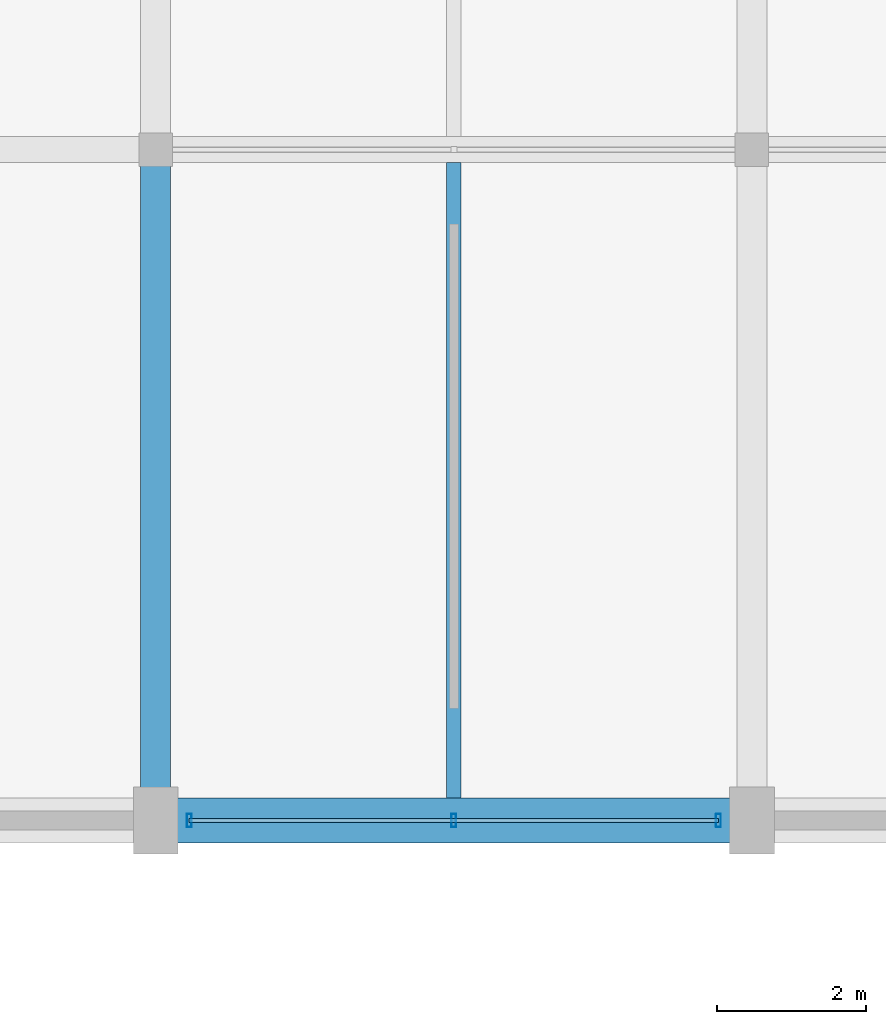
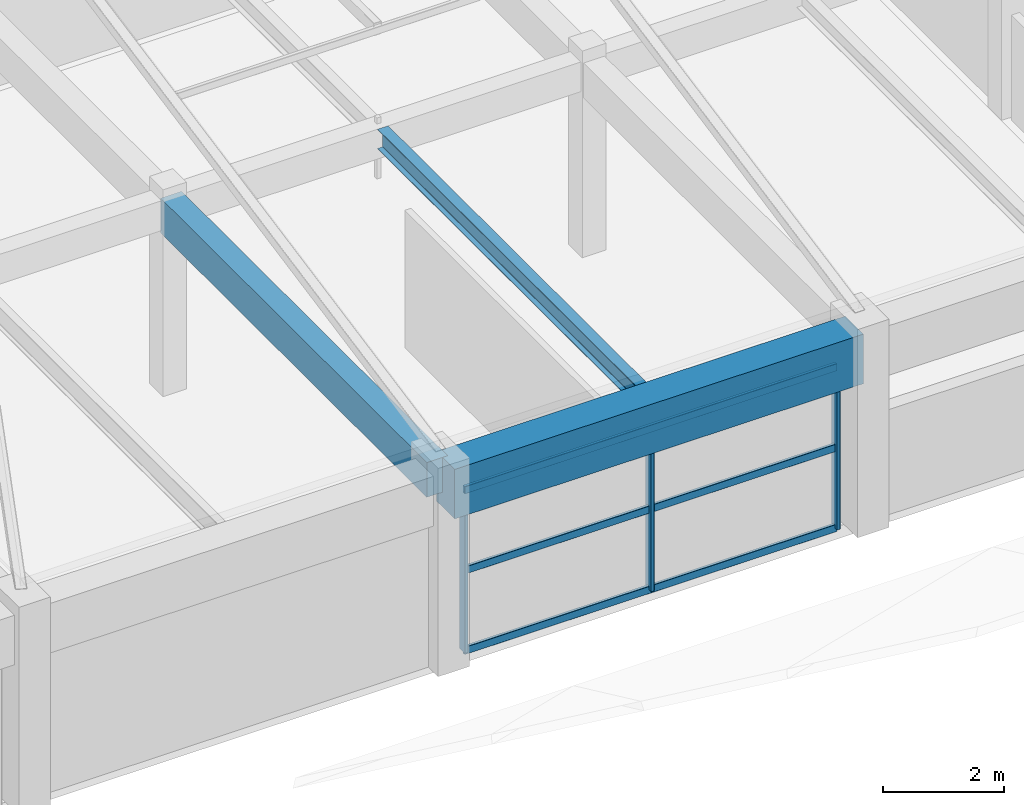
# One storey, part 64 of 126: 6 members, 3 beams, 1 element without a shape of its own.
"""IFC4 building model written with IfcOpenShell, lengths in metres."""

from ifc_helpers import new_model, si_unit, direction, frame, origin, origin_2d, place, context, subcontext, project, spatial, rectangle, hollow_rectangle, i_section, extrude, material, material_profile, profile_set, type_object, element, aggregate, save


model = new_model("IFC4")

# Units and contexts
model_context = context("Model", 3, precision=1e-05, world=origin(), true_north=direction((0.0, 1.0)))
body_context = subcontext(model_context, "Body", "Model", "MODEL_VIEW")
ifc_project = project(units=[si_unit("LENGTHUNIT", "METRE"), si_unit("AREAUNIT", "SQUARE_METRE"), si_unit("VOLUMEUNIT", "CUBIC_METRE"), si_unit("PLANEANGLEUNIT", "RADIAN"), si_unit("MASSUNIT", "GRAM", prefix="KILO")], contexts=[model_context])

# Site, building, storey
site_placement = place(None, origin())
site = spatial("IfcSite", under=ifc_project, at=site_placement, CompositionType="ELEMENT")
building_placement = place(site_placement, origin())
building = spatial("IfcBuilding", under=site, at=building_placement, Name="Varnabhumi Central Station", CompositionType="ELEMENT")
storey_placement = place(building_placement, frame((0.0, 0.0, 16.199951171875)))
storey = spatial("IfcBuildingStorey", under=building, at=storey_placement, Name="L03", CompositionType="ELEMENT", Elevation=16.199951171875)

# Beams
ifc_material_1 = material(Name="Concrete M50", Category="concrete")
ifc_material_profile_1 = material_profile(ifc_material_1, rectangle(XDim=0.60009765625, YDim=1.0, at=origin_2d()), Name="Concrete M50", Category="concrete")
ifc_profile_set_1 = profile_set([ifc_material_profile_1], Name="Concrete M50")
beam_type_1 = type_object("IfcBeamType", Name="BM-RC-600x1000", PredefinedType="BEAM", material=ifc_profile_set_1)
beam_1_placement = place(storey_placement, frame((104.10009765625, 80.0, 3.449951171875), z_axis=(1.0, 0.0, 0.0), x_axis=(0.0, 1.0, 0.0)))
element("IfcBeam", 1, at=beam_1_placement, inside=storey, type_object=beam_type_1, Name="Beam L03-K:14-15", PredefinedType="BEAM", context=body_context, shape_type="SweptSolid", body=[
    extrude(rectangle(XDim=0.60009765625, YDim=1.0, at=origin_2d()), origin(), (0.0, 0.0, 1.0), 7.7998046875),
])
ifc_material_2 = material(Name="Concrete M40", Category="concrete")
ifc_material_profile_2 = material_profile(ifc_material_2, rectangle(XDim=0.39990234375, YDim=0.699951171875, at=origin_2d()), Name="Concrete M40", Category="concrete")
ifc_profile_set_2 = profile_set([ifc_material_profile_2], Name="Concrete M40")
beam_type_2 = type_object("IfcBeamType", Name="BM-RC-700x400", PredefinedType="BEAM", material=ifc_profile_set_2)
beam_2_placement = place(storey_placement, frame((104.0, 80.10009765625, 3.60009765625), z_axis=(0.0, 1.0, 0.0), x_axis=(-1.0, 0.0, 0.0)))
element("IfcBeam", 2, at=beam_2_placement, inside=storey, type_object=beam_type_2, Name="Beam L03-14:K-L", PredefinedType="BEAM", context=body_context, shape_type="SweptSolid", body=[
    extrude(rectangle(XDim=0.39990234375, YDim=0.699951171875, at=origin_2d()), origin(), (0.0, 0.0, 1.0), 8.7998046875),
])
ifc_material_3 = material(Name="Structural steel E350", Category="steel")
ifc_material_profile_3 = material_profile(ifc_material_3, i_section(OverallWidth=0.199951171875, OverallDepth=0.39990234375, WebThickness=0.008544921875, FlangeThickness=0.012939453125, FilletRadius=0.012939453125, at=origin_2d()), Name="Structural steel E350", Category="steel")
ifc_profile_set_3 = profile_set([ifc_material_profile_3], Name="Structural steel E350")
beam_type_3 = type_object("IfcBeamType", Name="BM-SEC-ISWB400", PredefinedType="JOIST", material=ifc_profile_set_3)
beam_3_placement = place(storey_placement, frame((108.0, 80.300048828125, 3.75), z_axis=(0.0, 1.0, 0.0), x_axis=(-1.0, 0.0, 0.0)))
element("IfcBeam", 3, at=beam_3_placement, inside=storey, type_object=beam_type_3, Name="Secondary Joist L03-14/15:K-L", PredefinedType="JOIST", context=body_context, shape_type="SweptSolid", body=[
    extrude(i_section(OverallWidth=0.199951171875, OverallDepth=0.39990234375, WebThickness=0.008544921875, FlangeThickness=0.012939453125, FilletRadius=0.012939453125, at=origin_2d()), origin(), (0.0, 0.0, 1.0), 8.52490234375),
])

# Curtain wall, members
ifc_material_4 = material(Name="Anodised aluminium 6063-T6", Category="aluminium")
curtain_wall_type = type_object("IfcCurtainWallType", Name="CW-SPINE-SCREEN-L0", PredefinedType="NOTDEFINED", material=ifc_material_4)
curtain_wall_placement = place(storey_placement, origin())
curtain_wall = element("IfcCurtainWall", 4, at=curtain_wall_placement, inside=storey, type_object=curtain_wall_type, Name="Curtain Wall CW-NS310", PredefinedType="NOTDEFINED")
ifc_material_profile_4 = material_profile(ifc_material_4, hollow_rectangle(XDim=0.06494140625, YDim=0.179931640625, WallThickness=0.00390625, InnerFilletRadius=0.001953125, OuterFilletRadius=0.006103515625, at=origin_2d()), Name="Anodised aluminium 6063-T6", Category="aluminium")
ifc_profile_set_4 = profile_set([ifc_material_profile_4], Name="Anodised aluminium 6063-T6")
member_type_1 = type_object("IfcMemberType", Name="CW-MUL-180", PredefinedType="MULLION", material=ifc_profile_set_4)
member_1_placement = place(storey_placement, frame((104.449951171875, 80.0, 0.0), z_axis=(0.0, 0.0, 1.0), x_axis=(1.0, 0.0, 0.0)))
member_1 = element("IfcMember", 5, at=member_1_placement, type_object=member_type_1, Name="Curtain Wall Mullion CW-NS310-M1", PredefinedType="MULLION", context=body_context, shape_type="SweptSolid", body=[
    extrude(hollow_rectangle(XDim=0.06494140625, YDim=0.179931640625, WallThickness=0.00390625, InnerFilletRadius=0.001953125, OuterFilletRadius=0.006103515625, at=origin_2d()), origin(), (0.0, 0.0, 1.0), 3.239990234375),
])
member_2_placement = place(storey_placement, frame((108.0, 80.0, 0.0), z_axis=(0.0, 0.0, 1.0), x_axis=(1.0, 0.0, 0.0)))
member_2 = element("IfcMember", 6, at=member_2_placement, type_object=member_type_1, Name="Curtain Wall Mullion CW-NS310-M2", PredefinedType="MULLION", context=body_context, shape_type="SweptSolid", body=[
    extrude(hollow_rectangle(XDim=0.06494140625, YDim=0.179931640625, WallThickness=0.00390625, InnerFilletRadius=0.001953125, OuterFilletRadius=0.006103515625, at=origin_2d()), origin(), (0.0, 0.0, 1.0), 3.239990234375),
])
member_3_placement = place(storey_placement, frame((111.550048828125, 80.0, 0.0), z_axis=(0.0, 0.0, 1.0), x_axis=(1.0, 0.0, 0.0)))
member_3 = element("IfcMember", 7, at=member_3_placement, type_object=member_type_1, Name="Curtain Wall Mullion CW-NS310-M3", PredefinedType="MULLION", context=body_context, shape_type="SweptSolid", body=[
    extrude(hollow_rectangle(XDim=0.06494140625, YDim=0.179931640625, WallThickness=0.00390625, InnerFilletRadius=0.001953125, OuterFilletRadius=0.006103515625, at=origin_2d()), origin(), (0.0, 0.0, 1.0), 3.239990234375),
])
ifc_material_profile_5 = material_profile(ifc_material_4, hollow_rectangle(XDim=0.06005859375, YDim=0.14990234375, WallThickness=0.00390625, InnerFilletRadius=0.001953125, OuterFilletRadius=0.006103515625, at=origin_2d()), Name="Anodised aluminium 6063-T6", Category="aluminium")
ifc_profile_set_5 = profile_set([ifc_material_profile_5], Name="Anodised aluminium 6063-T6")
member_type_2 = type_object("IfcMemberType", Name="CW-TR-150", PredefinedType="USERDEFINED", material=ifc_profile_set_5)
member_4_placement = place(storey_placement, frame((104.449951171875, 80.0, 0.0), z_axis=(1.0, 0.0, 0.0), x_axis=(0.0, 1.0, 0.0)))
member_4 = element("IfcMember", 8, at=member_4_placement, type_object=member_type_2, Name="Curtain Wall Transom CW-NS310-T1", ObjectType="TRANSOM", PredefinedType="USERDEFINED", context=body_context, shape_type="SweptSolid", body=[
    extrude(hollow_rectangle(XDim=0.06005859375, YDim=0.14990234375, WallThickness=0.00390625, InnerFilletRadius=0.001953125, OuterFilletRadius=0.006103515625, at=origin_2d()), origin(), (0.0, 0.0, 1.0), 7.10009765625),
])
member_5_placement = place(storey_placement, frame((104.449951171875, 80.0, 1.6201171875), z_axis=(1.0, 0.0, 0.0), x_axis=(0.0, 1.0, 0.0)))
member_5 = element("IfcMember", 9, at=member_5_placement, type_object=member_type_2, Name="Curtain Wall Transom CW-NS310-T2", ObjectType="TRANSOM", PredefinedType="USERDEFINED", context=body_context, shape_type="SweptSolid", body=[
    extrude(hollow_rectangle(XDim=0.06005859375, YDim=0.14990234375, WallThickness=0.00390625, InnerFilletRadius=0.001953125, OuterFilletRadius=0.006103515625, at=origin_2d()), origin(), (0.0, 0.0, 1.0), 7.10009765625),
])
member_6_placement = place(storey_placement, frame((104.449951171875, 80.0, 3.239990234375), z_axis=(1.0, 0.0, 0.0), x_axis=(0.0, 1.0, 0.0)))
member_6 = element("IfcMember", 10, at=member_6_placement, type_object=member_type_2, Name="Curtain Wall Transom CW-NS310-T3", ObjectType="TRANSOM", PredefinedType="USERDEFINED", context=body_context, shape_type="SweptSolid", body=[
    extrude(hollow_rectangle(XDim=0.06005859375, YDim=0.14990234375, WallThickness=0.00390625, InnerFilletRadius=0.001953125, OuterFilletRadius=0.006103515625, at=origin_2d()), origin(), (0.0, 0.0, 1.0), 7.10009765625),
])
aggregate(curtain_wall, [member_1, member_2, member_3, member_4, member_5, member_6])

save(model, "model.ifc")
